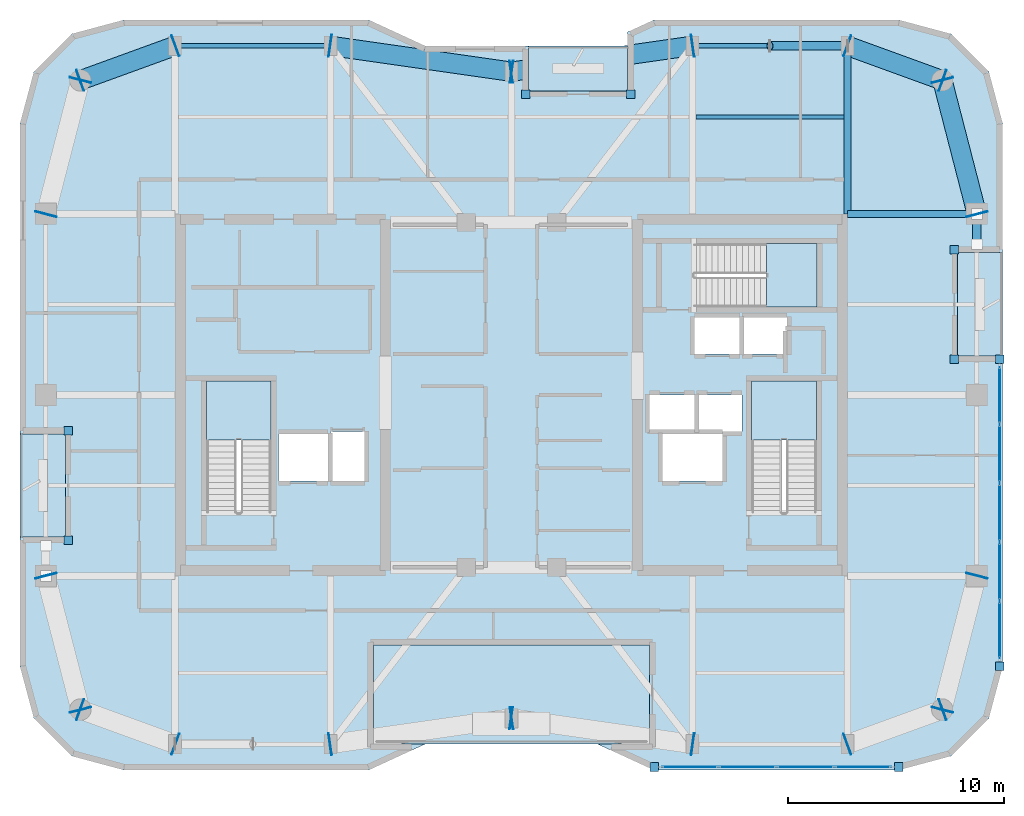
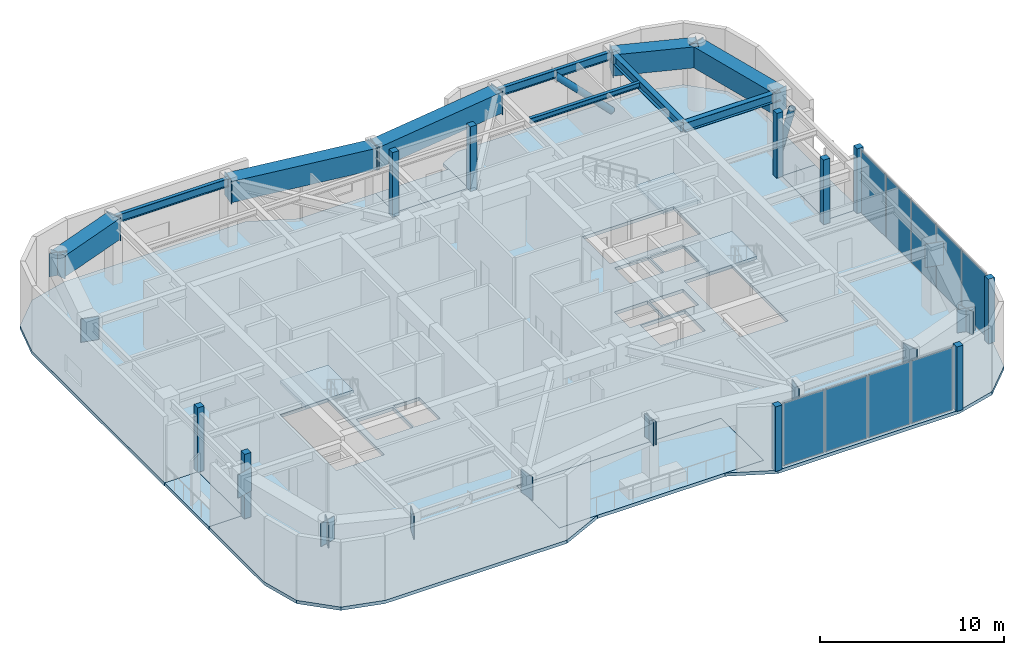
# One storey, part 6 of 14: 43 plates, 10 beams, 8 slabs, 2 members, 5 elements without a shape of their own.
"""IFC4 building model written with IfcOpenShell, lengths in metres."""

from ifc_helpers import new_model, si_unit, direction, frame, origin, origin_2d, place, context, subcontext, project, spatial, polyline, rectangle, hollow_rectangle, hollow_circle, i_section, outline, extrude, material, layer, layer_set, material_profile, profile_set, type_object, element, aggregate, save


model = new_model("IFC4")

# Units and contexts
model_context = context("Model", 3, precision=1e-05, world=origin(), true_north=direction((0.0, 1.0)))
body_context = subcontext(model_context, "Body", "Model", "MODEL_VIEW")
ifc_project = project(units=[si_unit("LENGTHUNIT", "METRE"), si_unit("AREAUNIT", "SQUARE_METRE"), si_unit("VOLUMEUNIT", "CUBIC_METRE"), si_unit("PLANEANGLEUNIT", "RADIAN"), si_unit("MASSUNIT", "GRAM", prefix="KILO")], contexts=[model_context])

# Site, building, storey
site_placement = place(None, origin())
site = spatial("IfcSite", under=ifc_project, at=site_placement, CompositionType="ELEMENT")
building_placement = place(site_placement, origin())
building = spatial("IfcBuilding", under=site, at=building_placement, Name="Kiyonajd Concourse Tower", CompositionType="ELEMENT")
storey_placement = place(building_placement, frame((0.0, 0.0, 294.0)))
storey = spatial("IfcBuildingStorey", under=building, at=storey_placement, Name="L74", CompositionType="ELEMENT", Elevation=294.0)

# Beams
ifc_material_1 = material(Name="Steel ASTM A992 Grade 50", Category="steel")
ifc_material_profile_1 = material_profile(ifc_material_1, i_section(OverallWidth=0.205078125, OverallDepth=0.35400390625, WebThickness=0.009521484375, FlangeThickness=0.016845703125, at=origin_2d()), Name="W360X79")
ifc_profile_set_1 = profile_set([ifc_material_profile_1], Name="Steel ASTM A992 Grade 50")
beam_type_1 = type_object("IfcBeamType", Name="BM-JST-360", PredefinedType="JOIST", material=ifc_profile_set_1)
beam_1_placement = place(storey_placement, frame((56.56201171875, 48.89990234375, 4.10302734375), z_axis=(1.0, 0.0, 0.0), x_axis=(0.0, 1.0, 0.0)))
element("IfcBeam", 1, at=beam_1_placement, inside=storey, type_object=beam_type_1, Name="L74 Secondary Floor Joist", PredefinedType="JOIST", context=body_context, shape_type="SweptSolid", body=[
    extrude(i_section(OverallWidth=0.205078125, OverallDepth=0.35400390625, WebThickness=0.009521484375, FlangeThickness=0.016845703125, at=origin_2d()), origin(), (0.0, 0.0, 1.0), 6.8759765625),
])
ifc_material_profile_2 = material_profile(ifc_material_1, i_section(OverallWidth=0.2109375, OverallDepth=0.5390625, WebThickness=0.01171875, FlangeThickness=0.018798828125, at=origin_2d()), Name="W530X109")
ifc_profile_set_2 = profile_set([ifc_material_profile_2], Name="Steel ASTM A992 Grade 50")
beam_type_2 = type_object("IfcBeamType", Name="BM-SPAN-530B", PredefinedType="SPANDREL", material=ifc_profile_set_2)
for number, where, z_axis, x_axis, name in (
    (2, (63.60009765625, 52.199951171875, 4.010498046875), (-1.0, 0.0, 0.0), (0.0, -1.0, 0.0), "L74 Perimeter Bundled Tube Spandrel"),
    (3, (39.60009765625, 52.199951171875, 4.010498046875), (-1.0, 0.0, 0.0), (0.0, -1.0, 0.0), "L74 Perimeter Bundled Tube Spandrel"),
):
    element("IfcBeam", number, at=place(storey_placement, frame(where, z_axis=z_axis, x_axis=x_axis)), inside=storey, type_object=beam_type_2, Name=name, PredefinedType="SPANDREL", context=body_context, shape_type="SweptSolid", body=[
        extrude(i_section(OverallWidth=0.2109375, OverallDepth=0.5390625, WebThickness=0.01171875, FlangeThickness=0.018798828125, at=origin_2d()), origin(), (0.0, 0.0, 1.0), 7.2001953125),
    ])
ifc_material_profile_3 = material_profile(ifc_material_1, i_section(OverallWidth=0.323974609375, OverallDepth=0.611083984375, WebThickness=0.0126953125, FlangeThickness=0.01904296875, at=origin_2d()), Name="W610X155")
ifc_profile_set_3 = profile_set([ifc_material_profile_3], Name="Steel ASTM A992 Grade 50")
beam_type_3 = type_object("IfcBeamType", Name="BM-TWR-610B", PredefinedType="BEAM", material=ifc_profile_set_3)
beam_2_placement = place(storey_placement, frame((63.60009765625, 44.39990234375, 3.974609375), z_axis=(0.0, 1.0, 0.0), x_axis=(-1.0, 0.0, 0.0)))
element("IfcBeam", 4, at=beam_2_placement, inside=storey, type_object=beam_type_3, Name="L74 North Lease Girder", PredefinedType="BEAM", context=body_context, shape_type="SweptSolid", body=[
    extrude(i_section(OverallWidth=0.323974609375, OverallDepth=0.611083984375, WebThickness=0.0126953125, FlangeThickness=0.01904296875, at=origin_2d()), origin(), (0.0, 0.0, 1.0), 7.800048828125),
])
beam_3_placement = place(storey_placement, frame((63.60009765625, 44.39990234375, 3.974609375), z_axis=(1.0, 0.0, 0.0), x_axis=(0.0, 1.0, 0.0)))
element("IfcBeam", 5, at=beam_3_placement, inside=storey, type_object=beam_type_3, Name="L74 East Lease Girder", PredefinedType="BEAM", context=body_context, shape_type="SweptSolid", body=[
    extrude(i_section(OverallWidth=0.323974609375, OverallDepth=0.611083984375, WebThickness=0.0126953125, FlangeThickness=0.01904296875, at=origin_2d()), origin(), (0.0, 0.0, 1.0), 6.0),
])
ifc_material_2 = material(Name="Steel ASTM A572 Grade 50", Category="steel")
ifc_material_profile_4 = material_profile(ifc_material_2, hollow_rectangle(XDim=0.89990234375, YDim=1.39990234375, WallThickness=0.070068359375, at=origin_2d()), Name="BOX-1400x900x70")
ifc_profile_set_4 = profile_set([ifc_material_profile_4], Name="Steel ASTM A572 Grade 50")
beam_type_4 = type_object("IfcBeamType", Name="BM-XFER-1400", PredefinedType="BEAM", material=ifc_profile_set_4)
beam_4_placement = place(storey_placement, frame((69.60009765625, 44.39990234375, 3.580078125), z_axis=(-0.249884937687, 0.968275538221, 0.0), x_axis=(-0.968275538221, -0.249884937687, 0.0)))
element("IfcBeam", 6, at=beam_4_placement, inside=storey, type_object=beam_type_4, Name="L74 Perimeter Bundled Tube Spandrel", PredefinedType="BEAM", context=body_context, shape_type="SweptSolid", body=[
    extrude(hollow_rectangle(XDim=0.89990234375, YDim=1.39990234375, WallThickness=0.070068359375, at=origin_2d()), origin(), (0.0, 0.0, 1.0), 6.4033203125),
])
beam_5_placement = place(storey_placement, frame((68.0, 50.60009765625, 3.580078125), z_axis=(-0.939801036019, 0.341722127901, 0.0), x_axis=(-0.341722127901, -0.939801036019, 0.0)))
element("IfcBeam", 7, at=beam_5_placement, inside=storey, type_object=beam_type_4, Name="L74 Perimeter Bundled Tube Spandrel", PredefinedType="BEAM", context=body_context, shape_type="SweptSolid", body=[
    extrude(hollow_rectangle(XDim=0.89990234375, YDim=1.39990234375, WallThickness=0.070068359375, at=origin_2d()), origin(), (0.0, 0.0, 1.0), 4.681640625),
])
for number, where, z_axis, x_axis, name in (
    (8, (56.39990234375, 52.199951171875, 3.580078125), (-0.989950069105, -0.141417328072, 0.0), (0.141417328072, -0.989950069105, 0.0), "L74 Perimeter Bundled Tube Spandrel"),
    (9, (48.0, 51.0, 3.580078125), (-0.989950069105, 0.141417328072, 0.0), (-0.141417328072, -0.989950069105, 0.0), "L74 Perimeter Bundled Tube Spandrel"),
):
    element("IfcBeam", number, at=place(storey_placement, frame(where, z_axis=z_axis, x_axis=x_axis)), inside=storey, type_object=beam_type_4, Name=name, PredefinedType="BEAM", context=body_context, shape_type="SweptSolid", body=[
        extrude(hollow_rectangle(XDim=0.89990234375, YDim=1.39990234375, WallThickness=0.070068359375, at=origin_2d()), origin(), (0.0, 0.0, 1.0), 8.485107421875),
    ])
beam_6_placement = place(storey_placement, frame((32.39990234375, 52.199951171875, 3.580078125), z_axis=(-0.939801036019, -0.341722127901, 0.0), x_axis=(0.341722127901, -0.939801036019, 0.0)))
element("IfcBeam", 10, at=beam_6_placement, inside=storey, type_object=beam_type_4, Name="L74 Perimeter Bundled Tube Spandrel", PredefinedType="BEAM", context=body_context, shape_type="SweptSolid", body=[
    extrude(hollow_rectangle(XDim=0.89990234375, YDim=1.39990234375, WallThickness=0.070068359375, at=origin_2d()), origin(), (0.0, 0.0, 1.0), 4.681640625),
])

# Members
ifc_material_3 = material(Name="Steel ASTM A500 Grade C", Category="steel")
ifc_material_profile_5 = material_profile(ifc_material_3, hollow_circle(Radius=0.202880859375, WallThickness=0.01904296875, at=origin_2d()), Name="CHS-406x19")
ifc_profile_set_5 = profile_set([ifc_material_profile_5], Name="Steel ASTM A500 Grade C")
member_type = type_object("IfcMemberType", Name="MB-PB-HIGH", PredefinedType="BRACE", material=ifc_profile_set_5)
member_1_placement = place(storey_placement, frame((63.60009765625, 52.199951171875, 0.300048828125), z_axis=(-0.704187756773, 0.0, 0.710013804944), x_axis=(0.0, -1.0, 0.0)))
element("IfcMember", 11, at=member_1_placement, inside=storey, type_object=member_type, Name="L74 Upper Zone Hollow Tube Brace PBN", PredefinedType="BRACE", context=body_context, shape_type="SweptSolid", body=[
    extrude(hollow_circle(Radius=0.202880859375, WallThickness=0.01904296875, at=origin_2d()), origin(), (0.0, 0.0, 1.0), 5.1123046875),
])
member_2_placement = place(storey_placement, frame((69.60009765625, 44.39990234375, 0.300048828125), z_axis=(0.0, -0.359828366716, 0.933018513486), x_axis=(1.0, 0.0, 0.0)))
element("IfcMember", 12, at=member_2_placement, inside=storey, type_object=member_type, Name="L74 Upper Zone Hollow Tube Brace PBE", PredefinedType="BRACE", context=body_context, shape_type="SweptSolid", body=[
    extrude(hollow_circle(Radius=0.202880859375, WallThickness=0.01904296875, at=origin_2d()), origin(), (0.0, 0.0, 1.0), 3.890380859375),
])

# Plates
ifc_layer_1 = layer(ifc_material_2, 0.031982421875)
ifc_layer_set_1 = layer_set([ifc_layer_1], Name="Steel ASTM A572 Grade 50")
plate_type_1 = type_object("IfcPlateType", Name="PL-CAP-540", PredefinedType="USERDEFINED", material=ifc_layer_set_1)
for number, where, z_axis, x_axis, name in (
    (13, (26.397216796875, 27.610595703125, 2.81005859375), (0.0, 0.0, 1.0), (-0.249873048837, 0.968278606324, 0.0), "L74 Welded Box Girder End Cap"),
    (14, (28.002685546875, 21.389404296875, 2.81005859375), (0.0, 0.0, 1.0), (0.249873048837, -0.968278606324, 0.0), "L74 Welded Box Girder End Cap"),
    (15, (27.98974609375, 21.40380859375, 2.81005859375), (0.0, 0.0, 1.0), (-0.939811951086, 0.341692107891, 0.0), "L74 Welded Box Girder End Cap"),
    (16, (32.410400390625, 19.796142578125, 2.81005859375), (0.0, 0.0, 1.0), (0.939811951086, -0.341692107891, 0.0), "L74 Welded Box Girder End Cap"),
    (17, (39.589111328125, 19.79833984375, 2.81005859375), (0.0, 0.0, 1.0), (-0.989949746297, -0.141419587774, 0.0), "L74 Welded Box Girder End Cap"),
    (18, (48.010986328125, 21.001708984375, 2.81005859375), (0.0, 0.0, 1.0), (0.989949746297, 0.141419587774, 0.0), "L74 Welded Box Girder End Cap"),
    (19, (47.989013671875, 21.001708984375, 2.81005859375), (0.0, 0.0, 1.0), (-0.989949746297, 0.141419587774, 0.0), "L74 Welded Box Girder End Cap"),
    (20, (56.410888671875, 19.79833984375, 2.81005859375), (0.0, 0.0, 1.0), (0.989949746297, -0.141419587774, 0.0), "L74 Welded Box Girder End Cap"),
    (21, (63.589599609375, 19.796142578125, 2.81005859375), (0.0, 0.0, 1.0), (-0.939811951086, -0.341692107891, 0.0), "L74 Welded Box Girder End Cap"),
    (22, (68.01025390625, 21.40380859375, 2.81005859375), (0.0, 0.0, 1.0), (0.939811951086, 0.341692107891, 0.0), "L74 Welded Box Girder End Cap"),
    (23, (67.997314453125, 21.389404296875, 2.81005859375), (0.0, 0.0, 1.0), (-0.249873048837, -0.968278606324, 0.0), "L74 Welded Box Girder End Cap"),
    (24, (69.602783203125, 27.610595703125, 2.81005859375), (0.0, 0.0, 1.0), (0.249873048837, 0.968278606324, 0.0), "L74 Welded Box Girder End Cap"),
    (25, (69.602783203125, 44.389404296875, 2.81005859375), (0.0, 0.0, 1.0), (0.249873048837, -0.968278606324, 0.0), "L74 Welded Box Girder End Cap"),
    (26, (67.997314453125, 50.610595703125, 2.81005859375), (0.0, 0.0, 1.0), (-0.249873048837, 0.968278606324, 0.0), "L74 Welded Box Girder End Cap"),
    (27, (68.01025390625, 50.59619140625, 2.81005859375), (0.0, 0.0, 1.0), (0.939811951086, -0.341692107891, 0.0), "L74 Welded Box Girder End Cap"),
    (28, (63.589599609375, 52.203857421875, 2.81005859375), (0.0, 0.0, 1.0), (-0.939811951086, 0.341692107891, 0.0), "L74 Welded Box Girder End Cap"),
    (29, (56.410888671875, 52.20166015625, 2.81005859375), (0.0, 0.0, 1.0), (0.989949746297, 0.141419587774, 0.0), "L74 Welded Box Girder End Cap"),
    (30, (47.989013671875, 50.998291015625, 2.81005859375), (0.0, 0.0, 1.0), (-0.989949746297, -0.141419587774, 0.0), "L74 Welded Box Girder End Cap"),
    (31, (48.010986328125, 50.998291015625, 2.81005859375), (0.0, 0.0, 1.0), (0.989949746297, -0.141419587774, 0.0), "L74 Welded Box Girder End Cap"),
    (32, (39.589111328125, 52.20166015625, 2.81005859375), (0.0, 0.0, 1.0), (-0.989949746297, 0.141419587774, 0.0), "L74 Welded Box Girder End Cap"),
    (33, (32.410400390625, 52.203857421875, 2.81005859375), (0.0, 0.0, 1.0), (0.939811951086, 0.341692107891, 0.0), "L74 Welded Box Girder End Cap"),
    (34, (27.98974609375, 50.59619140625, 2.81005859375), (0.0, 0.0, 1.0), (-0.939811951086, -0.341692107891, 0.0), "L74 Welded Box Girder End Cap"),
    (35, (28.002685546875, 50.610595703125, 2.81005859375), (0.0, 0.0, 1.0), (0.249873048837, 0.968278606324, 0.0), "L74 Welded Box Girder End Cap"),
    (36, (26.397216796875, 44.389404296875, 2.81005859375), (0.0, 0.0, 1.0), (-0.249873048837, -0.968278606324, 0.0), "L74 Welded Box Girder End Cap"),
):
    element("IfcPlate", number, at=place(storey_placement, frame(where, z_axis=z_axis, x_axis=x_axis)), inside=storey, type_object=plate_type_1, Name=name, ObjectType="CAP PLATE", PredefinedType="USERDEFINED", context=body_context, shape_type="SweptSolid", body=[
        extrude(rectangle(XDim=0.035888671875, YDim=1.02001953125, at=origin_2d()), origin(), (0.0, 0.0, 1.0), 1.5400390625),
    ])

# Curtain wall, plates
ifc_material_4 = material(Name="Thermally Broken Anodised Aluminium", Category="aluminium")
ifc_layer_2 = layer(ifc_material_4, 0.179931640625)
ifc_layer_set_2 = layer_set([ifc_layer_2], Name="Thermally Broken Anodised Aluminium")
curtain_wall_type = type_object("IfcCurtainWallType", Name="CW-SYS-05", PredefinedType="NOTDEFINED", material=ifc_layer_set_2)
curtain_wall_1_placement = place(storey_placement, origin())
curtain_wall_1 = element("IfcCurtainWall", 37, at=curtain_wall_1_placement, inside=storey, type_object=curtain_wall_type, Name="L74 Unitised Curtain Wall CW5", PredefinedType="NOTDEFINED")
ifc_material_5 = material(Name="Double Low-E Insulated Glass", Category="glass")
ifc_layer_3 = layer(ifc_material_5, 0.0400390625)
ifc_layer_set_3 = layer_set([ifc_layer_3], Name="Double Low-E Insulated Glass")
plate_type_2 = type_object("IfcPlateType", Name="PL-CW-VIS40", PredefinedType="CURTAIN_PANEL", material=ifc_layer_set_3)
plate_1_placement = place(storey_placement, frame((70.659912109375, 35.985107421875, 0.074951171875), z_axis=(0.0, 0.0, 1.0), x_axis=(0.0, -1.0, 0.0)))
plate_1 = element("IfcPlate", 38, at=plate_1_placement, type_object=plate_type_2, Name="CW5 panel 1.1", PredefinedType="CURTAIN_PANEL", context=body_context, shape_type="SweptSolid", body=[
    extrude(rectangle(XDim=2.619873046875, YDim=0.0400390625, at=origin_2d()), origin(), (0.0, 0.0, 1.0), 4.1298828125),
])
plate_2_placement = place(storey_placement, frame((70.659912109375, 33.271484375, 0.074951171875), z_axis=(0.0, 0.0, 1.0), x_axis=(0.0, -1.0, 0.0)))
plate_2 = element("IfcPlate", 39, at=plate_2_placement, type_object=plate_type_2, Name="CW5 panel 2.1", PredefinedType="CURTAIN_PANEL", context=body_context, shape_type="SweptSolid", body=[
    extrude(rectangle(XDim=2.6572265625, YDim=0.0400390625, at=origin_2d()), origin(), (0.0, 0.0, 1.0), 4.1298828125),
])
plate_3_placement = place(storey_placement, frame((70.659912109375, 30.539306640625, 0.074951171875), z_axis=(0.0, 0.0, 1.0), x_axis=(0.0, -1.0, 0.0)))
plate_3 = element("IfcPlate", 40, at=plate_3_placement, type_object=plate_type_2, Name="CW5 panel 3.1", PredefinedType="CURTAIN_PANEL", context=body_context, shape_type="SweptSolid", body=[
    extrude(rectangle(XDim=2.6572265625, YDim=0.0400390625, at=origin_2d()), origin(), (0.0, 0.0, 1.0), 4.1298828125),
])
plate_4_placement = place(storey_placement, frame((70.659912109375, 27.806884765625, 0.074951171875), z_axis=(0.0, 0.0, 1.0), x_axis=(0.0, -1.0, 0.0)))
plate_4 = element("IfcPlate", 41, at=plate_4_placement, type_object=plate_type_2, Name="CW5 panel 4.1", PredefinedType="CURTAIN_PANEL", context=body_context, shape_type="SweptSolid", body=[
    extrude(rectangle(XDim=2.6572265625, YDim=0.0400390625, at=origin_2d()), origin(), (0.0, 0.0, 1.0), 4.1298828125),
])
plate_5_placement = place(storey_placement, frame((70.659912109375, 25.09326171875, 0.074951171875), z_axis=(0.0, 0.0, 1.0), x_axis=(0.0, -1.0, 0.0)))
plate_5 = element("IfcPlate", 42, at=plate_5_placement, type_object=plate_type_2, Name="CW5 panel 5.1", PredefinedType="CURTAIN_PANEL", context=body_context, shape_type="SweptSolid", body=[
    extrude(rectangle(XDim=2.619873046875, YDim=0.0400390625, at=origin_2d()), origin(), (0.0, 0.0, 1.0), 4.1298828125),
])
aggregate(curtain_wall_1, [plate_1, plate_2, plate_3, plate_4, plate_5])

curtain_wall_2_placement = place(storey_placement, origin())
curtain_wall_2 = element("IfcCurtainWall", 43, at=curtain_wall_2_placement, inside=storey, type_object=curtain_wall_type, Name="L74 Unitised Curtain Wall CW5", PredefinedType="NOTDEFINED")
plate_6_placement = place(storey_placement, frame((64.326416015625, 18.739990234375, 0.074951171875), z_axis=(0.0, 0.0, 1.0), x_axis=(-1.0, 0.0, 0.0)))
plate_6 = element("IfcPlate", 44, at=plate_6_placement, type_object=plate_type_2, Name="CW5 panel 1.1", PredefinedType="CURTAIN_PANEL", context=body_context, shape_type="SweptSolid", body=[
    extrude(rectangle(XDim=2.580322265625, YDim=0.0400390625, at=origin_2d()), origin(), (0.0, 0.0, 1.0), 4.1298828125),
])
plate_7_placement = place(storey_placement, frame((61.652587890625, 18.739990234375, 0.074951171875), z_axis=(0.0, 0.0, 1.0), x_axis=(-1.0, 0.0, 0.0)))
plate_7 = element("IfcPlate", 45, at=plate_7_placement, type_object=plate_type_2, Name="CW5 panel 2.1", PredefinedType="CURTAIN_PANEL", context=body_context, shape_type="SweptSolid", body=[
    extrude(rectangle(XDim=2.61767578125, YDim=0.0400390625, at=origin_2d()), origin(), (0.0, 0.0, 1.0), 4.1298828125),
])
plate_8_placement = place(storey_placement, frame((58.959716796875, 18.739990234375, 0.074951171875), z_axis=(0.0, 0.0, 1.0), x_axis=(-1.0, 0.0, 0.0)))
plate_8 = element("IfcPlate", 46, at=plate_8_placement, type_object=plate_type_2, Name="CW5 panel 3.1", PredefinedType="CURTAIN_PANEL", context=body_context, shape_type="SweptSolid", body=[
    extrude(rectangle(XDim=2.61767578125, YDim=0.0400390625, at=origin_2d()), origin(), (0.0, 0.0, 1.0), 4.1298828125),
])
plate_9_placement = place(storey_placement, frame((56.285888671875, 18.739990234375, 0.074951171875), z_axis=(0.0, 0.0, 1.0), x_axis=(-1.0, 0.0, 0.0)))
plate_9 = element("IfcPlate", 47, at=plate_9_placement, type_object=plate_type_2, Name="CW5 panel 4.1", PredefinedType="CURTAIN_PANEL", context=body_context, shape_type="SweptSolid", body=[
    extrude(rectangle(XDim=2.580322265625, YDim=0.0400390625, at=origin_2d()), origin(), (0.0, 0.0, 1.0), 4.1298828125),
])
aggregate(curtain_wall_2, [plate_6, plate_7, plate_8, plate_9])

# Plates
ifc_layer_4 = layer(ifc_material_4, 0.39990234375)
ifc_layer_set_4 = layer_set([ifc_layer_4], Name="Thermally Broken Anodised Aluminium")
plate_type_3 = type_object("IfcPlateType", Name="PL-JMB-400", PredefinedType="USERDEFINED", material=ifc_layer_set_4)
for number, where, z_axis, x_axis, name in (
    (48, (68.56005859375, 42.739990234375, 0.0), (0.0, 0.0, 1.0), (1.0, 0.0, 0.0), "L74 Facade Jamb Closure Plate 01"),
    (49, (68.56005859375, 37.659912109375, 0.0), (0.0, 0.0, 1.0), (1.0, 0.0, 0.0), "L74 Facade Jamb Closure Plate 02"),
    (50, (70.659912109375, 37.659912109375, 0.0), (0.0, 0.0, 1.0), (1.0, 0.0, 0.0), "L74 Facade Jamb Closure Plate 03"),
    (51, (70.659912109375, 23.41845703125, 0.0), (0.0, 0.0, 1.0), (1.0, 0.0, 0.0), "L74 Facade Jamb Closure Plate 04"),
    (52, (65.981689453125, 18.739990234375, 0.0), (0.0, 0.0, 1.0), (1.0, 0.0, 0.0), "L74 Facade Jamb Closure Plate 05"),
    (53, (54.630615234375, 18.739990234375, 0.0), (0.0, 0.0, 1.0), (1.0, 0.0, 0.0), "L74 Facade Jamb Closure Plate 06"),
    (54, (27.43994140625, 29.260009765625, 0.0), (0.0, 0.0, 1.0), (1.0, 0.0, 0.0), "L74 Facade Jamb Closure Plate 07"),
    (55, (27.43994140625, 34.340087890625, 0.0), (0.0, 0.0, 1.0), (1.0, 0.0, 0.0), "L74 Facade Jamb Closure Plate 08"),
    (56, (48.659912109375, 49.9599609375, 0.0), (0.0, 0.0, 1.0), (1.0, 0.0, 0.0), "L74 Facade Jamb Closure Plate 09"),
    (57, (53.5400390625, 49.9599609375, 0.0), (0.0, 0.0, 1.0), (1.0, 0.0, 0.0), "L74 Facade Jamb Closure Plate 10"),
):
    element("IfcPlate", number, at=place(storey_placement, frame(where, z_axis=z_axis, x_axis=x_axis)), inside=storey, type_object=plate_type_3, Name=name, ObjectType="JAMB PLATE", PredefinedType="USERDEFINED", context=body_context, shape_type="SweptSolid", body=[
        extrude(rectangle(XDim=0.39990234375, YDim=0.39990234375, at=origin_2d()), origin(), (0.0, 0.0, 1.0), 4.280029296875),
    ])

# Stair, slab
ifc_material_6 = material(Name="Concrete C40/50", Category="concrete")
stair_type = type_object("IfcStairType", Name="ST-DLG-26R", PredefinedType="HALF_TURN_STAIR", material=ifc_material_6)
stair_1_placement = place(storey_placement, origin())
stair_1 = element("IfcStair", 58, at=stair_1_placement, inside=storey, type_object=stair_type, Name="L74 Protected Exit Stair ST1", PredefinedType="HALF_TURN_STAIR")
ifc_layer_5 = layer(ifc_material_6, 0.199951171875)
ifc_layer_set_5 = layer_set([ifc_layer_5], Name="Concrete C40/50")
slab_type_1 = type_object("IfcSlabType", Name="SL-LND-200", PredefinedType="LANDING", material=ifc_layer_set_5)
slab_1_placement = place(storey_placement, frame((0.0, 0.0, 2.050048828125)))
slab_1 = element("IfcSlab", 59, at=slab_1_placement, type_object=slab_type_1, Name="ST1 landing 1", PredefinedType="LANDING", context=body_context, shape_type="SweptSolid", body=[
    extrude(outline(polyline([(36.85009765625, 33.909912109375), (36.85009765625, 36.64990234375), (33.85009765625, 36.64990234375), (33.85009765625, 33.909912109375), (36.85009765625, 33.909912109375)])), origin(), (0.0, 0.0, 1.0), 0.199951171875),
])
aggregate(stair_1, [slab_1])

stair_2_placement = place(storey_placement, origin())
stair_2 = element("IfcStair", 60, at=stair_2_placement, inside=storey, type_object=stair_type, Name="L74 Protected Exit Stair ST2", PredefinedType="HALF_TURN_STAIR")
slab_2_placement = place(storey_placement, frame((0.0, 0.0, 2.050048828125)))
slab_2 = element("IfcSlab", 61, at=slab_2_placement, type_object=slab_type_1, Name="ST2 landing 1", PredefinedType="LANDING", context=body_context, shape_type="SweptSolid", body=[
    extrude(outline(polyline([(62.14990234375, 33.909912109375), (62.14990234375, 36.64990234375), (59.14990234375, 36.64990234375), (59.14990234375, 33.909912109375), (62.14990234375, 33.909912109375)])), origin(), (0.0, 0.0, 1.0), 0.199951171875),
])
aggregate(stair_2, [slab_2])

stair_3_placement = place(storey_placement, origin())
stair_3 = element("IfcStair", 62, at=stair_3_placement, inside=storey, type_object=stair_type, Name="L74 Protected Exit Stair ST3", PredefinedType="HALF_TURN_STAIR")
slab_3_placement = place(storey_placement, frame((0.0, 0.0, 2.050048828125)))
slab_3 = element("IfcSlab", 63, at=slab_3_placement, type_object=slab_type_1, Name="ST3 landing 1", PredefinedType="LANDING", context=body_context, shape_type="SweptSolid", body=[
    extrude(outline(polyline([(59.840087890625, 40.080078125), (62.179931640625, 40.080078125), (62.179931640625, 43.02001953125), (59.840087890625, 43.02001953125), (59.840087890625, 40.080078125)])), origin(), (0.0, 0.0, 1.0), 0.199951171875),
])
aggregate(stair_3, [slab_3])

# Slabs
ifc_material_7 = material(Name="Precast concrete C50/60", Category="concrete")
ifc_layer_6 = layer(ifc_material_7, 0.199951171875)
ifc_layer_set_6 = layer_set([ifc_layer_6], Name="Precast concrete C50/60")
slab_type_2 = type_object("IfcSlabType", Name="SL-LOG-200", PredefinedType="FLOOR", material=ifc_layer_set_6)
slab_4_placement = place(storey_placement, frame((0.0, 0.0, -0.199951171875)))
element("IfcSlab", 64, at=slab_4_placement, inside=storey, type_object=slab_type_2, Name="L74 Recessed Engawa Loggia Terrace Slab LOG-N", PredefinedType="FLOOR", context=body_context, shape_type="SweptSolid", body=[
    extrude(outline(polyline([(48.800048828125, 50.10009765625), (53.39990234375, 50.10009765625), (53.39990234375, 52.199951171875), (48.800048828125, 52.199951171875), (48.800048828125, 50.10009765625)])), origin(), (0.0, 0.0, 1.0), 0.199951171875),
])
slab_5_placement = place(storey_placement, frame((0.0, 0.0, -0.199951171875)))
element("IfcSlab", 65, at=slab_5_placement, inside=storey, type_object=slab_type_2, Name="L74 Recessed Engawa Loggia Terrace Slab LOG-W", PredefinedType="FLOOR", context=body_context, shape_type="SweptSolid", body=[
    extrude(outline(polyline([(25.199951171875, 29.39990234375), (27.300048828125, 29.39990234375), (27.300048828125, 34.199951171875), (25.199951171875, 34.199951171875), (25.199951171875, 29.39990234375)])), origin(), (0.0, 0.0, 1.0), 0.199951171875),
])
slab_6_placement = place(storey_placement, frame((0.0, 0.0, -0.199951171875)))
element("IfcSlab", 66, at=slab_6_placement, inside=storey, type_object=slab_type_2, Name="L74 Recessed Engawa Loggia Terrace Slab LOG-E", PredefinedType="FLOOR", context=body_context, shape_type="SweptSolid", body=[
    extrude(outline(polyline([(68.699951171875, 37.800048828125), (70.800048828125, 37.800048828125), (70.800048828125, 42.60009765625), (68.699951171875, 42.60009765625), (68.699951171875, 37.800048828125)])), origin(), (0.0, 0.0, 1.0), 0.199951171875),
])
ifc_material_8 = material(Name="Concrete C50/60", Category="concrete")
ifc_layer_7 = layer(ifc_material_8, 0.219970703125)
ifc_layer_set_7 = layer_set([ifc_layer_7], Name="Concrete C50/60")
slab_type_3 = type_object("IfcSlabType", Name="SL-SKY-220", PredefinedType="FLOOR", material=ifc_layer_set_7)
slab_7_placement = place(storey_placement, frame((0.0, 0.0, -0.219970703125)))
element("IfcSlab", 67, at=slab_7_placement, inside=storey, type_object=slab_type_3, Name="L74 Summit Horizon Sky Garden Terrace Slab", PredefinedType="FLOOR", context=body_context, shape_type="SweptSolid", body=[
    extrude(outline(polyline([(41.60009765625, 19.800048828125), (54.39990234375, 19.800048828125), (54.39990234375, 24.39990234375), (41.60009765625, 24.39990234375), (41.60009765625, 19.800048828125)])), origin(), (0.0, 0.0, 1.0), 0.219970703125),
])
ifc_layer_8 = layer(ifc_material_6, 0.219970703125)
ifc_layer_set_8 = layer_set([ifc_layer_8], Name="Concrete C40/50")
slab_type_4 = type_object("IfcSlabType", Name="SL-TWR-220", PredefinedType="FLOOR", material=ifc_layer_set_8)
slab_8_placement = place(storey_placement, frame((0.0, 0.0, -0.219970703125)))
element("IfcSlab", 68, at=slab_8_placement, inside=storey, type_object=slab_type_4, Name="L74 Tower Conditioned Floor Slab", PredefinedType="FLOOR", context=body_context, shape_type="SweptSolid", body=[
    extrude(outline(polyline([(70.156982421875, 51.0), (70.800048828125, 48.60009765625), (70.800048828125, 42.60009765625), (68.699951171875, 42.60009765625), (68.699951171875, 37.800048828125), (70.800048828125, 37.800048828125), (70.800048828125, 23.39990234375), (70.156982421875, 21.0), (68.39990234375, 19.242919921875), (66.0, 18.60009765625), (54.60009765625, 18.60009765625), (52.0, 19.800048828125), (54.39990234375, 19.800048828125), (54.39990234375, 24.39990234375), (41.60009765625, 24.39990234375), (41.60009765625, 19.800048828125), (44.0, 19.800048828125), (41.39990234375, 18.60009765625), (30.0, 18.60009765625), (27.60009765625, 19.242919921875), (25.843017578125, 21.0), (25.199951171875, 23.39990234375), (25.199951171875, 29.39990234375), (27.300048828125, 29.39990234375), (27.300048828125, 34.199951171875), (25.199951171875, 34.199951171875), (25.199951171875, 48.60009765625), (25.843017578125, 51.0), (27.60009765625, 52.757080078125), (30.0, 53.39990234375), (41.39990234375, 53.39990234375), (44.0, 52.199951171875), (48.800048828125, 52.199951171875), (48.800048828125, 50.10009765625), (53.39990234375, 50.10009765625), (53.39990234375, 52.845947265625), (54.60009765625, 53.39990234375), (66.0, 53.39990234375), (68.39990234375, 52.757080078125), (70.156982421875, 51.0)]), holes=[polyline([(39.5, 32.0), (37.199951171875, 32.0), (37.199951171875, 34.199951171875), (39.5, 34.199951171875), (39.5, 32.0)]), polyline([(57.800048828125, 32.0), (55.0, 32.0), (55.0, 34.199951171875), (57.800048828125, 34.199951171875), (57.800048828125, 32.0)]), polyline([(41.199951171875, 32.0), (39.60009765625, 32.0), (39.60009765625, 34.300048828125), (41.199951171875, 34.300048828125), (41.199951171875, 32.0)]), polyline([(33.85009765625, 30.550048828125), (33.85009765625, 36.64990234375), (36.85009765625, 36.64990234375), (36.85009765625, 30.550048828125), (33.85009765625, 30.550048828125)]), polyline([(59.14990234375, 30.550048828125), (59.14990234375, 36.64990234375), (62.14990234375, 36.64990234375), (62.14990234375, 30.550048828125), (59.14990234375, 30.550048828125)]), polyline([(56.5, 34.300048828125), (54.39990234375, 34.300048828125), (54.39990234375, 36.0), (56.5, 36.0), (56.5, 34.300048828125)]), polyline([(58.699951171875, 34.300048828125), (56.60009765625, 34.300048828125), (56.60009765625, 36.0), (58.699951171875, 36.0), (58.699951171875, 34.300048828125)]), polyline([(58.60009765625, 37.89990234375), (56.5, 37.89990234375), (56.5, 39.60009765625), (58.60009765625, 39.60009765625), (58.60009765625, 37.89990234375)]), polyline([(58.699951171875, 37.89990234375), (58.699951171875, 39.60009765625), (60.800048828125, 39.60009765625), (60.800048828125, 37.89990234375), (58.699951171875, 37.89990234375)]), polyline([(56.47998046875, 43.02001953125), (62.179931640625, 43.02001953125), (62.179931640625, 40.080078125), (56.47998046875, 40.080078125), (56.47998046875, 43.02001953125)])]), origin(), (0.0, 0.0, 1.0), 0.219970703125),
])

save(model, "model.ifc")
